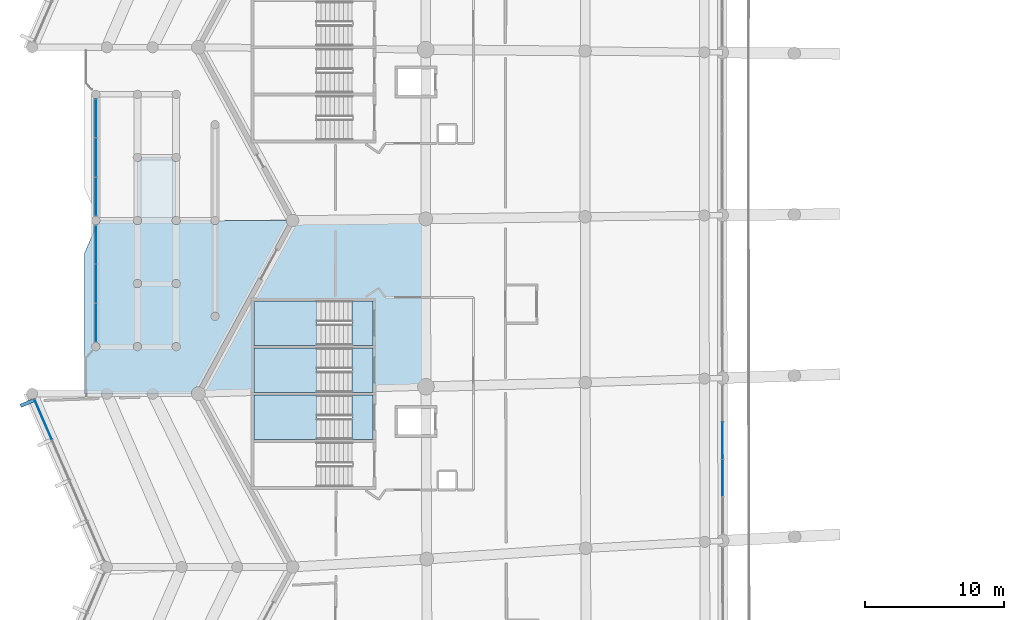
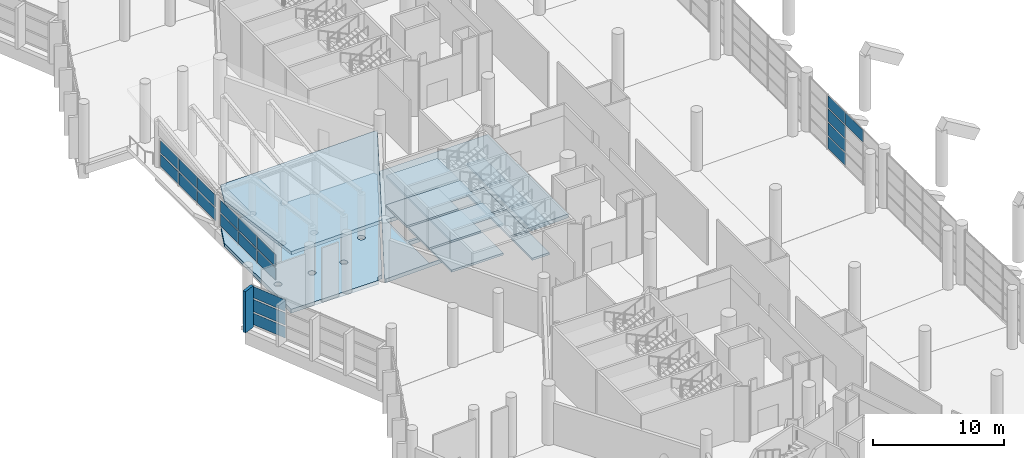
# One storey, part 123 of 271: 21 plates, 15 slabs, 7 elements without a shape of their own.
"""IFC4 building model written with IfcOpenShell, lengths in metres."""

from ifc_helpers import new_model, si_unit, direction, frame, origin, origin_2d, place, context, subcontext, project, spatial, polyline, rectangle, outline, extrude, material, layer, layer_set, type_object, element, aggregate, save


model = new_model("IFC4")

# Units and contexts
model_context = context("Model", 3, precision=1e-05, world=origin(), true_north=direction((0.0, 1.0)))
body_context = subcontext(model_context, "Body", "Model", "MODEL_VIEW")
ifc_project = project(units=[si_unit("LENGTHUNIT", "METRE"), si_unit("AREAUNIT", "SQUARE_METRE"), si_unit("VOLUMEUNIT", "CUBIC_METRE"), si_unit("PLANEANGLEUNIT", "RADIAN"), si_unit("MASSUNIT", "GRAM", prefix="KILO")], contexts=[model_context])

# Site, building, storey
site_placement = place(None, origin())
site = spatial("IfcSite", under=ifc_project, at=site_placement, CompositionType="ELEMENT")
building_placement = place(site_placement, origin())
building = spatial("IfcBuilding", under=site, at=building_placement, Name="Meseta Stadium", CompositionType="ELEMENT")
storey_placement = place(building_placement, frame((0.0, 0.0, 6.5)))
storey = spatial("IfcBuildingStorey", under=building, at=storey_placement, Name="L01", CompositionType="ELEMENT", Elevation=6.5)

# Curtain wall, plates
ifc_material_1 = material(Name="Aluminium", Category="aluminium")
ifc_layer_1 = layer(ifc_material_1, 0.199951171875)
ifc_layer_set_1 = layer_set([ifc_layer_1], Name="Club glazing curtain wall")
curtain_wall_type_1 = type_object("IfcCurtainWallType", Name="Club glazing curtain wall", PredefinedType="NOTDEFINED", material=ifc_layer_set_1)
curtain_wall_1_placement = place(storey_placement, origin())
curtain_wall_1 = element("IfcCurtainWall", 1, at=curtain_wall_1_placement, inside=storey, type_object=curtain_wall_type_1, Name="Club glazing bay 34", PredefinedType="NOTDEFINED")
ifc_material_2 = material(Name="Glass", Category="glass")
ifc_layer_2 = layer(ifc_material_2, 0.028076171875)
ifc_layer_set_2 = layer_set([ifc_layer_2], Name="CW glass panel 28")
plate_type_1 = type_object("IfcPlateType", Name="CW glass panel 28", PredefinedType="CURTAIN_PANEL", material=ifc_layer_set_2)
plate_1_placement = place(storey_placement, frame((-63.57958984375, -22.12353515625, 0.1201171875), z_axis=(0.0, 0.0, 1.0), x_axis=(0.0018452545, -0.999998297516, 0.0)))
plate_1 = element("IfcPlate", 2, at=plate_1_placement, type_object=plate_type_1, Name="CWC panel 2.1", PredefinedType="CURTAIN_PANEL", context=body_context, shape_type="SweptSolid", body=[
    extrude(rectangle(XDim=2.6435546875, YDim=0.028076171875, at=origin_2d()), origin(), (0.0, 0.0, 1.0), 1.107421875),
])
plate_2_placement = place(storey_placement, frame((-63.57958984375, -22.12353515625, 1.347412109375), z_axis=(0.0, 0.0, 1.0), x_axis=(0.0018452545, -0.999998297516, 0.0)))
plate_2 = element("IfcPlate", 3, at=plate_2_placement, type_object=plate_type_1, Name="CWC panel 2.2", PredefinedType="CURTAIN_PANEL", context=body_context, shape_type="SweptSolid", body=[
    extrude(rectangle(XDim=2.6435546875, YDim=0.028076171875, at=origin_2d()), origin(), (0.0, 0.0, 1.0), 1.16748046875),
])
plate_3_placement = place(storey_placement, frame((-63.57958984375, -22.12353515625, 2.635009765625), z_axis=(0.0, 0.0, 1.0), x_axis=(0.0018452545, -0.999998297516, 0.0)))
plate_3 = element("IfcPlate", 4, at=plate_3_placement, type_object=plate_type_1, Name="CWC panel 2.3", PredefinedType="CURTAIN_PANEL", context=body_context, shape_type="SweptSolid", body=[
    extrude(rectangle(XDim=2.6435546875, YDim=0.028076171875, at=origin_2d()), origin(), (0.0, 0.0, 1.0), 1.16748046875),
])
plate_4_placement = place(storey_placement, frame((-63.57958984375, -22.12353515625, 3.922607421875), z_axis=(0.0, 0.0, 1.0), x_axis=(0.0018452545, -0.999998297516, 0.0)))
plate_4 = element("IfcPlate", 5, at=plate_4_placement, type_object=plate_type_1, Name="CWC panel 2.4", PredefinedType="CURTAIN_PANEL", context=body_context, shape_type="SweptSolid", body=[
    extrude(rectangle(XDim=2.6435546875, YDim=0.028076171875, at=origin_2d()), origin(), (0.0, 0.0, 1.0), 1.107421875),
])
plate_5_placement = place(storey_placement, frame((-63.574462890625, -24.8271484375, 3.922607421875), z_axis=(0.0, 0.0, 1.0), x_axis=(0.0018452545, -0.999998297516, 0.0)))
plate_5 = element("IfcPlate", 6, at=plate_5_placement, type_object=plate_type_1, Name="CWC panel 3.4", PredefinedType="CURTAIN_PANEL", context=body_context, shape_type="SweptSolid", body=[
    extrude(rectangle(XDim=2.6435546875, YDim=0.028076171875, at=origin_2d()), origin(), (0.0, 0.0, 1.0), 1.107421875),
])
aggregate(curtain_wall_1, [plate_1, plate_2, plate_3, plate_4, plate_5])

# Slabs
ifc_material_3 = material(Name="Concrete C40/50", Category="concrete")
ifc_layer_3 = layer(ifc_material_3, 0.35009765625)
ifc_layer_set_3 = layer_set([ifc_layer_3], Name="Floor slab 350")
slab_type_1 = type_object("IfcSlabType", Name="Floor slab 350", PredefinedType="FLOOR", material=ifc_layer_set_3)
slab_1_placement = place(storey_placement, frame((0.0, 0.0, -0.35009765625)))
element("IfcSlab", 7, at=slab_1_placement, inside=storey, type_object=slab_type_1, Name="Floor slab L01 sector 28 panel 05", PredefinedType="FLOOR", context=body_context, shape_type="SweptSolid", body=[
    extrude(outline(polyline([(-84.9970703125, -6.107421875), (-94.6201171875, -6.212890625), (-94.60009765625, -6.25), (-101.39990234375, -18.75), (-101.340087890625, -18.85986328125), (-94.9599609375, -18.64990234375), (-97.39990234375, -18.64990234375), (-97.39990234375, -15.449951171875), (-88.800048828125, -15.449951171875), (-88.800048828125, -18.447509765625), (-84.978515625, -18.32177734375), (-84.9970703125, -6.107421875)]), holes=[polyline([(-88.800048828125, -12.050048828125), (-88.800048828125, -15.25), (-97.39990234375, -15.25), (-97.39990234375, -12.050048828125), (-88.800048828125, -12.050048828125)])]), origin(), (0.0, 0.0, 1.0), 0.35009765625),
])
slab_2_placement = place(storey_placement, frame((0.0, 0.0, -0.35009765625)))
element("IfcSlab", 8, at=slab_2_placement, inside=storey, type_object=slab_type_1, Name="Gate hall floor slab 5 panel 01", PredefinedType="FLOOR", context=body_context, shape_type="SweptSolid", body=[
    extrude(outline(polyline([(-105.497314453125, -6.25), (-105.5078125, -6.328369140625), (-105.5380859375, -6.4013671875), (-105.5859375, -6.464111328125), (-105.648681640625, -6.511962890625), (-105.7216796875, -6.542236328125), (-105.800048828125, -6.552490234375), (-105.87841796875, -6.542236328125), (-105.951416015625, -6.511962890625), (-106.013916015625, -6.464111328125), (-106.06201171875, -6.4013671875), (-106.09228515625, -6.328369140625), (-106.1025390625, -6.25), (-108.497314453125, -6.25), (-108.5078125, -6.328369140625), (-108.5380859375, -6.4013671875), (-108.5859375, -6.464111328125), (-108.648681640625, -6.511962890625), (-108.7216796875, -6.542236328125), (-108.7265625, -6.54296875), (-109.60009765625, -8.564697265625), (-109.60009765625, -18.75), (-101.904296875, -18.75), (-101.88720703125, -18.619384765625), (-101.836669921875, -18.497802734375), (-101.756591796875, -18.393310546875), (-101.652099609375, -18.313232421875), (-101.530517578125, -18.262939453125), (-101.39990234375, -18.24560546875), (-101.335205078125, -18.254150390625), (-94.955078125, -6.5263671875), (-94.9931640625, -6.476806640625), (-95.038330078125, -6.367431640625), (-95.053955078125, -6.25), (-95.049560546875, -6.217529296875), (-99.900146484375, -6.270751953125), (-99.90771484375, -6.328369140625), (-99.93798828125, -6.4013671875), (-99.986083984375, -6.464111328125), (-100.048583984375, -6.511962890625), (-100.12158203125, -6.542236328125), (-100.199951171875, -6.552490234375), (-100.2783203125, -6.542236328125), (-100.351318359375, -6.511962890625), (-100.4140625, -6.464111328125), (-100.4619140625, -6.4013671875), (-100.4921875, -6.328369140625), (-100.502685546875, -6.25), (-102.697509765625, -6.25), (-102.707763671875, -6.328369140625), (-102.738037109375, -6.4013671875), (-102.785888671875, -6.464111328125), (-102.8486328125, -6.511962890625), (-102.921630859375, -6.542236328125), (-103.0, -6.552490234375), (-103.078369140625, -6.542236328125), (-103.1513671875, -6.511962890625), (-103.214111328125, -6.464111328125), (-103.261962890625, -6.4013671875), (-103.292236328125, -6.328369140625), (-103.302490234375, -6.25), (-103.292236328125, -6.171630859375), (-103.261962890625, -6.0986328125), (-103.214111328125, -6.035888671875), (-103.1513671875, -5.988037109375), (-103.078369140625, -5.957763671875), (-103.0, -5.947509765625), (-103.0, -2.002685546875), (-103.078369140625, -1.9921875), (-103.1513671875, -1.9619140625), (-103.214111328125, -1.9140625), (-103.261962890625, -1.851318359375), (-103.292236328125, -1.7783203125), (-103.302490234375, -1.699951171875), (-105.497314453125, -1.699951171875), (-105.5078125, -1.7783203125), (-105.5380859375, -1.851318359375), (-105.5859375, -1.9140625), (-105.648681640625, -1.9619140625), (-105.7216796875, -1.9921875), (-105.800048828125, -2.002685546875), (-105.800048828125, -5.947509765625), (-105.7216796875, -5.957763671875), (-105.648681640625, -5.988037109375), (-105.5859375, -6.035888671875), (-105.5380859375, -6.0986328125), (-105.5078125, -6.171630859375), (-105.497314453125, -6.25)]), holes=[polyline([(-103.261962890625, -10.648681640625), (-103.214111328125, -10.5859375), (-103.1513671875, -10.5380859375), (-103.078369140625, -10.5078125), (-103.0, -10.497314453125), (-102.921630859375, -10.5078125), (-102.8486328125, -10.5380859375), (-102.785888671875, -10.5859375), (-102.738037109375, -10.648681640625), (-102.707763671875, -10.7216796875), (-102.697509765625, -10.800048828125), (-102.707763671875, -10.87841796875), (-102.738037109375, -10.951416015625), (-102.785888671875, -11.013916015625), (-102.8486328125, -11.06201171875), (-102.921630859375, -11.09228515625), (-103.0, -11.1025390625), (-103.078369140625, -11.09228515625), (-103.1513671875, -11.06201171875), (-103.214111328125, -11.013916015625), (-103.261962890625, -10.951416015625), (-103.292236328125, -10.87841796875), (-103.302490234375, -10.800048828125), (-103.292236328125, -10.7216796875), (-103.261962890625, -10.648681640625)]), polyline([(-103.261962890625, -15.19873046875), (-103.214111328125, -15.135986328125), (-103.1513671875, -15.087890625), (-103.078369140625, -15.0576171875), (-103.0, -15.04736328125), (-102.921630859375, -15.0576171875), (-102.8486328125, -15.087890625), (-102.785888671875, -15.135986328125), (-102.738037109375, -15.19873046875), (-102.707763671875, -15.271728515625), (-102.697509765625, -15.35009765625), (-102.707763671875, -15.42822265625), (-102.738037109375, -15.501220703125), (-102.785888671875, -15.56396484375), (-102.8486328125, -15.612060546875), (-102.921630859375, -15.642333984375), (-103.0, -15.652587890625), (-103.078369140625, -15.642333984375), (-103.1513671875, -15.612060546875), (-103.214111328125, -15.56396484375), (-103.261962890625, -15.501220703125), (-103.292236328125, -15.42822265625), (-103.302490234375, -15.35009765625), (-103.292236328125, -15.271728515625), (-103.261962890625, -15.19873046875)]), polyline([(-105.648681640625, -15.087890625), (-105.5859375, -15.135986328125), (-105.5380859375, -15.19873046875), (-105.5078125, -15.271728515625), (-105.497314453125, -15.35009765625), (-105.5078125, -15.42822265625), (-105.5380859375, -15.501220703125), (-105.5859375, -15.56396484375), (-105.648681640625, -15.612060546875), (-105.7216796875, -15.642333984375), (-105.800048828125, -15.652587890625), (-105.87841796875, -15.642333984375), (-105.951416015625, -15.612060546875), (-106.013916015625, -15.56396484375), (-106.06201171875, -15.501220703125), (-106.09228515625, -15.42822265625), (-106.1025390625, -15.35009765625), (-106.09228515625, -15.271728515625), (-106.06201171875, -15.19873046875), (-106.013916015625, -15.135986328125), (-105.951416015625, -15.087890625), (-105.87841796875, -15.0576171875), (-105.800048828125, -15.04736328125), (-105.7216796875, -15.0576171875), (-105.648681640625, -15.087890625)]), polyline([(-108.648681640625, -15.087890625), (-108.5859375, -15.135986328125), (-108.5380859375, -15.19873046875), (-108.5078125, -15.271728515625), (-108.497314453125, -15.35009765625), (-108.5078125, -15.42822265625), (-108.5380859375, -15.501220703125), (-108.5859375, -15.56396484375), (-108.648681640625, -15.612060546875), (-108.7216796875, -15.642333984375), (-108.800048828125, -15.652587890625), (-108.87841796875, -15.642333984375), (-108.951416015625, -15.612060546875), (-109.013916015625, -15.56396484375), (-109.06201171875, -15.501220703125), (-109.09228515625, -15.42822265625), (-109.1025390625, -15.35009765625), (-109.09228515625, -15.271728515625), (-109.06201171875, -15.19873046875), (-109.013916015625, -15.135986328125), (-108.951416015625, -15.087890625), (-108.87841796875, -15.0576171875), (-108.800048828125, -15.04736328125), (-108.7216796875, -15.0576171875), (-108.648681640625, -15.087890625)]), polyline([(-105.951416015625, -10.5380859375), (-105.87841796875, -10.5078125), (-105.800048828125, -10.497314453125), (-105.7216796875, -10.5078125), (-105.648681640625, -10.5380859375), (-105.5859375, -10.5859375), (-105.5380859375, -10.648681640625), (-105.5078125, -10.7216796875), (-105.497314453125, -10.800048828125), (-105.5078125, -10.87841796875), (-105.5380859375, -10.951416015625), (-105.5859375, -11.013916015625), (-105.648681640625, -11.06201171875), (-105.7216796875, -11.09228515625), (-105.800048828125, -11.1025390625), (-105.87841796875, -11.09228515625), (-105.951416015625, -11.06201171875), (-106.013916015625, -11.013916015625), (-106.06201171875, -10.951416015625), (-106.09228515625, -10.87841796875), (-106.1025390625, -10.800048828125), (-106.09228515625, -10.7216796875), (-106.06201171875, -10.648681640625), (-106.013916015625, -10.5859375), (-105.951416015625, -10.5380859375)]), polyline([(-100.502685546875, -13.16748046875), (-100.4921875, -13.089111328125), (-100.4619140625, -13.01611328125), (-100.4140625, -12.95361328125), (-100.351318359375, -12.905517578125), (-100.2783203125, -12.875244140625), (-100.199951171875, -12.864990234375), (-100.12158203125, -12.875244140625), (-100.048583984375, -12.905517578125), (-99.986083984375, -12.95361328125), (-99.93798828125, -13.01611328125), (-99.90771484375, -13.089111328125), (-99.8974609375, -13.16748046875), (-99.90771484375, -13.245849609375), (-99.93798828125, -13.318603515625), (-99.986083984375, -13.38134765625), (-100.048583984375, -13.429443359375), (-100.12158203125, -13.459716796875), (-100.199951171875, -13.469970703125), (-100.2783203125, -13.459716796875), (-100.351318359375, -13.429443359375), (-100.4140625, -13.38134765625), (-100.4619140625, -13.318603515625), (-100.4921875, -13.245849609375), (-100.502685546875, -13.16748046875)])]), origin(), (0.0, 0.0, 1.0), 0.35009765625),
])
ifc_material_4 = material(Name="Concrete C40/50", Category="concrete")
ifc_layer_4 = layer(ifc_material_4, 0.300048828125)
ifc_layer_set_4 = layer_set([ifc_layer_4], Name="Gate roof plate 300")
slab_type_2 = type_object("IfcSlabType", Name="Gate roof plate 300", PredefinedType="ROOF", material=ifc_layer_set_4)
slab_3_placement = place(storey_placement, frame((-109.60009765625, -18.75, 5.367919921875), z_axis=(-0.019795953742, 0.138619742273, 0.990147810818), x_axis=(0.999800198128, -1.138102e-06, 0.019989092559)))
element("IfcSlab", 9, at=slab_3_placement, inside=storey, type_object=slab_type_2, Name="Gate 5 butterfly roof wing", PredefinedType="ROOF", context=body_context, shape_type="SweptSolid", body=[
    extrude(outline(polyline([(0.0, 0.0), (7.996716246077016, 3.469446951953614e-18), (14.763129516762087, 12.6218602292899), (0.9652052321354223, 12.621854510407971), (-0.028511665290801468, 10.284572476588597), (0.0, 0.0)])), origin(), (0.0, 0.0, -1.0), 0.300048828125),
])

# Curtain wall, plates
ifc_material_5 = material(Name="Aluminium", Category="aluminium")
ifc_layer_5 = layer(ifc_material_5, 0.199951171875)
ifc_layer_set_5 = layer_set([ifc_layer_5], Name="Ring shopfront curtain wall")
curtain_wall_type_2 = type_object("IfcCurtainWallType", Name="Ring shopfront curtain wall", PredefinedType="NOTDEFINED", material=ifc_layer_set_5)
curtain_wall_2_placement = place(storey_placement, origin())
curtain_wall_2 = element("IfcCurtainWall", 10, at=curtain_wall_2_placement, inside=storey, type_object=curtain_wall_type_2, Name="Ring glazing L01 F34", PredefinedType="NOTDEFINED")
ifc_material_6 = material(Name="Glass", Category="glass")
ifc_layer_6 = layer(ifc_material_6, 0.035888671875)
ifc_layer_set_6 = layer_set([ifc_layer_6], Name="Ring CW glass panel 36")
plate_type_2 = type_object("IfcPlateType", Name="Ring CW glass panel 36", PredefinedType="CURTAIN_PANEL", material=ifc_layer_set_6)
plate_6_placement = place(storey_placement, frame((-112.60009765625, -20.6015625, 0.14990234375), z_axis=(0.0, 0.0, 1.0), x_axis=(0.396580687073, -0.91799986854, 0.0)))
plate_6 = element("IfcPlate", 11, at=plate_6_placement, type_object=plate_type_2, Name="CWR1 panel 1.1", PredefinedType="CURTAIN_PANEL", context=body_context, shape_type="SweptSolid", body=[
    extrude(rectangle(XDim=3.1142578125, YDim=0.035888671875, at=origin_2d()), origin(), (0.0, 0.0, 1.0), 1.058349609375),
])
plate_7_placement = place(storey_placement, frame((-112.60009765625, -20.6015625, 1.3583984375), z_axis=(0.0, 0.0, 1.0), x_axis=(0.396580687073, -0.91799986854, 0.0)))
plate_7 = element("IfcPlate", 12, at=plate_7_placement, type_object=plate_type_2, Name="CWR1 panel 1.2", PredefinedType="CURTAIN_PANEL", context=body_context, shape_type="SweptSolid", body=[
    extrude(rectangle(XDim=3.1142578125, YDim=0.035888671875, at=origin_2d()), origin(), (0.0, 0.0, 1.0), 1.13330078125),
])
plate_8_placement = place(storey_placement, frame((-112.60009765625, -20.6015625, 2.6416015625), z_axis=(0.0, 0.0, 1.0), x_axis=(0.396580687073, -0.91799986854, 0.0)))
plate_8 = element("IfcPlate", 13, at=plate_8_placement, type_object=plate_type_2, Name="CWR1 panel 1.3", PredefinedType="CURTAIN_PANEL", context=body_context, shape_type="SweptSolid", body=[
    extrude(rectangle(XDim=3.1142578125, YDim=0.035888671875, at=origin_2d()), origin(), (0.0, 0.0, 1.0), 1.058349609375),
])
aggregate(curtain_wall_2, [plate_6, plate_7, plate_8])

ifc_material_7 = material(Name="Aluminium", Category="aluminium")
ifc_layer_7 = layer(ifc_material_7, 0.199951171875)
ifc_layer_set_7 = layer_set([ifc_layer_7], Name="Gate hall curtain wall")
curtain_wall_type_3 = type_object("IfcCurtainWallType", Name="Gate hall curtain wall", PredefinedType="NOTDEFINED", material=ifc_layer_set_7)
curtain_wall_3_placement = place(storey_placement, origin())
curtain_wall_3 = element("IfcCurtainWall", 14, at=curtain_wall_3_placement, inside=storey, type_object=curtain_wall_type_3, Name="Gate 5 hall glazing", PredefinedType="NOTDEFINED")
plate_9_placement = place(storey_placement, frame((-108.800048828125, -4.518310546875, 0.14990234375), z_axis=(0.0, 0.0, 1.0), x_axis=(0.0, 1.0, 0.0)))
plate_9 = element("IfcPlate", 15, at=plate_9_placement, type_object=plate_type_2, Name="CWG1 panel 1.1", PredefinedType="CURTAIN_PANEL", context=body_context, shape_type="SweptSolid", body=[
    extrude(rectangle(XDim=2.743408203125, YDim=0.035888671875, at=origin_2d()), origin(), (0.0, 0.0, 1.0), 1.123046875),
])
plate_10_placement = place(storey_placement, frame((-108.800048828125, -4.518310546875, 1.423095703125), z_axis=(0.0, 0.0, 1.0), x_axis=(0.0, 1.0, 0.0)))
plate_10 = element("IfcPlate", 16, at=plate_10_placement, type_object=plate_type_2, Name="CWG1 panel 1.2", PredefinedType="CURTAIN_PANEL", context=body_context, shape_type="SweptSolid", body=[
    extrude(rectangle(XDim=2.743408203125, YDim=0.035888671875, at=origin_2d()), origin(), (0.0, 0.0, 1.0), 1.123046875),
])
plate_11_placement = place(storey_placement, frame((-108.800048828125, -1.699951171875, 0.14990234375), z_axis=(0.0, 0.0, 1.0), x_axis=(0.0, 1.0, 0.0)))
plate_11 = element("IfcPlate", 17, at=plate_11_placement, type_object=plate_type_2, Name="CWG1 panel 2.1", PredefinedType="CURTAIN_PANEL", context=body_context, shape_type="SweptSolid", body=[
    extrude(rectangle(XDim=2.7734375, YDim=0.035888671875, at=origin_2d()), origin(), (0.0, 0.0, 1.0), 1.123046875),
])
plate_12_placement = place(storey_placement, frame((-108.800048828125, -1.699951171875, 1.423095703125), z_axis=(0.0, 0.0, 1.0), x_axis=(0.0, 1.0, 0.0)))
plate_12 = element("IfcPlate", 18, at=plate_12_placement, type_object=plate_type_2, Name="CWG1 panel 2.2", PredefinedType="CURTAIN_PANEL", context=body_context, shape_type="SweptSolid", body=[
    extrude(rectangle(XDim=2.7734375, YDim=0.035888671875, at=origin_2d()), origin(), (0.0, 0.0, 1.0), 1.123046875),
])
plate_13_placement = place(storey_placement, frame((-108.800048828125, 1.118408203125, 0.14990234375), z_axis=(0.0, 0.0, 1.0), x_axis=(0.0, 1.0, 0.0)))
plate_13 = element("IfcPlate", 19, at=plate_13_placement, type_object=plate_type_2, Name="CWG1 panel 3.1", PredefinedType="CURTAIN_PANEL", context=body_context, shape_type="SweptSolid", body=[
    extrude(rectangle(XDim=2.743408203125, YDim=0.035888671875, at=origin_2d()), origin(), (0.0, 0.0, 1.0), 1.123046875),
])
plate_14_placement = place(storey_placement, frame((-108.800048828125, 1.118408203125, 1.423095703125), z_axis=(0.0, 0.0, 1.0), x_axis=(0.0, 1.0, 0.0)))
plate_14 = element("IfcPlate", 20, at=plate_14_placement, type_object=plate_type_2, Name="CWG1 panel 3.2", PredefinedType="CURTAIN_PANEL", context=body_context, shape_type="SweptSolid", body=[
    extrude(rectangle(XDim=2.743408203125, YDim=0.035888671875, at=origin_2d()), origin(), (0.0, 0.0, 1.0), 1.123046875),
])
aggregate(curtain_wall_3, [plate_9, plate_10, plate_11, plate_12, plate_13, plate_14])

curtain_wall_4_placement = place(storey_placement, origin())
curtain_wall_4 = element("IfcCurtainWall", 21, at=curtain_wall_4_placement, inside=storey, type_object=curtain_wall_type_3, Name="Gate 5 hall glazing", PredefinedType="NOTDEFINED")
plate_15_placement = place(storey_placement, frame((-108.800048828125, -13.618408203125, 0.14990234375), z_axis=(0.0, 0.0, 1.0), x_axis=(0.0, 1.0, 0.0)))
plate_15 = element("IfcPlate", 22, at=plate_15_placement, type_object=plate_type_2, Name="CWG1 panel 1.1", PredefinedType="CURTAIN_PANEL", context=body_context, shape_type="SweptSolid", body=[
    extrude(rectangle(XDim=2.743408203125, YDim=0.035888671875, at=origin_2d()), origin(), (0.0, 0.0, 1.0), 1.123046875),
])
plate_16_placement = place(storey_placement, frame((-108.800048828125, -13.618408203125, 1.423095703125), z_axis=(0.0, 0.0, 1.0), x_axis=(0.0, 1.0, 0.0)))
plate_16 = element("IfcPlate", 23, at=plate_16_placement, type_object=plate_type_2, Name="CWG1 panel 1.2", PredefinedType="CURTAIN_PANEL", context=body_context, shape_type="SweptSolid", body=[
    extrude(rectangle(XDim=2.743408203125, YDim=0.035888671875, at=origin_2d()), origin(), (0.0, 0.0, 1.0), 1.123046875),
])
plate_17_placement = place(storey_placement, frame((-108.800048828125, -10.800048828125, 0.14990234375), z_axis=(0.0, 0.0, 1.0), x_axis=(0.0, 1.0, 0.0)))
plate_17 = element("IfcPlate", 24, at=plate_17_placement, type_object=plate_type_2, Name="CWG1 panel 2.1", PredefinedType="CURTAIN_PANEL", context=body_context, shape_type="SweptSolid", body=[
    extrude(rectangle(XDim=2.7734375, YDim=0.035888671875, at=origin_2d()), origin(), (0.0, 0.0, 1.0), 1.123046875),
])
plate_18_placement = place(storey_placement, frame((-108.800048828125, -10.800048828125, 1.423095703125), z_axis=(0.0, 0.0, 1.0), x_axis=(0.0, 1.0, 0.0)))
plate_18 = element("IfcPlate", 25, at=plate_18_placement, type_object=plate_type_2, Name="CWG1 panel 2.2", PredefinedType="CURTAIN_PANEL", context=body_context, shape_type="SweptSolid", body=[
    extrude(rectangle(XDim=2.7734375, YDim=0.035888671875, at=origin_2d()), origin(), (0.0, 0.0, 1.0), 1.123046875),
])
plate_19_placement = place(storey_placement, frame((-108.800048828125, -7.981689453125, 0.14990234375), z_axis=(0.0, 0.0, 1.0), x_axis=(0.0, 1.0, 0.0)))
plate_19 = element("IfcPlate", 26, at=plate_19_placement, type_object=plate_type_2, Name="CWG1 panel 3.1", PredefinedType="CURTAIN_PANEL", context=body_context, shape_type="SweptSolid", body=[
    extrude(rectangle(XDim=2.743408203125, YDim=0.035888671875, at=origin_2d()), origin(), (0.0, 0.0, 1.0), 1.123046875),
])
plate_20_placement = place(storey_placement, frame((-108.800048828125, -7.981689453125, 1.423095703125), z_axis=(0.0, 0.0, 1.0), x_axis=(0.0, 1.0, 0.0)))
plate_20 = element("IfcPlate", 27, at=plate_20_placement, type_object=plate_type_2, Name="CWG1 panel 3.2", PredefinedType="CURTAIN_PANEL", context=body_context, shape_type="SweptSolid", body=[
    extrude(rectangle(XDim=2.743408203125, YDim=0.035888671875, at=origin_2d()), origin(), (0.0, 0.0, 1.0), 1.123046875),
])
aggregate(curtain_wall_4, [plate_15, plate_16, plate_17, plate_18, plate_19, plate_20])

# Plate
ifc_material_8 = material(Name="Precast concrete C40/50", Category="concrete")
ifc_layer_8 = layer(ifc_material_8, 0.25)
ifc_layer_set_8 = layer_set([ifc_layer_8], Name="Ring brise-soleil fin 250x1000")
plate_type_3 = type_object("IfcPlateType", Name="Ring brise-soleil fin 250x1000", PredefinedType="USERDEFINED", material=ifc_layer_set_8)
plate_21_placement = place(storey_placement, frame((-113.762451171875, -19.424072265625, 0.0), z_axis=(0.0, 0.0, 1.0), x_axis=(0.396575976693, -0.918001903435, 0.0)))
element("IfcPlate", 28, at=plate_21_placement, inside=storey, type_object=plate_type_3, Name="Brise-soleil fin L01 F34.1", ObjectType="FIN", PredefinedType="USERDEFINED", context=body_context, shape_type="SweptSolid", body=[
    extrude(rectangle(XDim=0.25, YDim=1.0, at=origin_2d()), origin(), (0.0, 0.0, 1.0), 3.85009765625),
])

# Stair, slabs
ifc_material_9 = material(Name="Concrete C40/50", Category="concrete")
stair_type = type_object("IfcStairType", Name="Exit stair 4 flights 153 mm risers", PredefinedType="HALF_TURN_STAIR", material=ifc_material_9)
stair_1_placement = place(storey_placement, origin())
stair_1 = element("IfcStair", 29, at=stair_1_placement, inside=storey, type_object=stair_type, Name="ST69 L01", PredefinedType="HALF_TURN_STAIR")
ifc_material_10 = material(Name="Concrete C40/50", Category="concrete")
ifc_layer_9 = layer(ifc_material_10, 0.199951171875)
ifc_layer_set_9 = layer_set([ifc_layer_9], Name="Stair landing 200")
slab_type_3 = type_object("IfcSlabType", Name="Stair landing 200", PredefinedType="LANDING", material=ifc_layer_set_9)
slab_4_placement = place(storey_placement, frame((0.0, 0.0, 1.175048828125)))
slab_4 = element("IfcSlab", 30, at=slab_4_placement, type_object=slab_type_3, Name="ST69 L01 landing 1", PredefinedType="LANDING", context=body_context, shape_type="SweptSolid", body=[
    extrude(outline(polyline([(-92.85009765625, -12.050048828125), (-97.39990234375, -12.050048828125), (-97.39990234375, -15.25), (-92.85009765625, -15.25), (-92.85009765625, -12.050048828125)])), origin(), (0.0, 0.0, 1.0), 0.199951171875),
])
slab_5_placement = place(storey_placement, frame((0.0, 0.0, 2.550048828125)))
slab_5 = element("IfcSlab", 31, at=slab_5_placement, type_object=slab_type_3, Name="ST69 L01 landing 2", PredefinedType="LANDING", context=body_context, shape_type="SweptSolid", body=[
    extrude(outline(polyline([(-88.800048828125, -12.050048828125), (-90.31005859375, -12.050048828125), (-90.31005859375, -15.25), (-88.800048828125, -15.25), (-88.800048828125, -12.050048828125)])), origin(), (0.0, 0.0, 1.0), 0.199951171875),
])
slab_6_placement = place(storey_placement, frame((0.0, 0.0, 3.925048828125)))
slab_6 = element("IfcSlab", 32, at=slab_6_placement, type_object=slab_type_3, Name="ST69 L01 landing 3", PredefinedType="LANDING", context=body_context, shape_type="SweptSolid", body=[
    extrude(outline(polyline([(-92.85009765625, -12.050048828125), (-97.39990234375, -12.050048828125), (-97.39990234375, -15.25), (-92.85009765625, -15.25), (-92.85009765625, -12.050048828125)])), origin(), (0.0, 0.0, 1.0), 0.199951171875),
])
slab_7_placement = place(storey_placement, frame((0.0, 0.0, -0.199951171875)))
slab_7 = element("IfcSlab", 33, at=slab_7_placement, type_object=slab_type_3, Name="ST69 L01 landing 4", PredefinedType="LANDING", context=body_context, shape_type="SweptSolid", body=[
    extrude(outline(polyline([(-88.800048828125, -12.050048828125), (-90.31005859375, -12.050048828125), (-90.31005859375, -15.25), (-88.800048828125, -15.25), (-88.800048828125, -12.050048828125)])), origin(), (0.0, 0.0, 1.0), 0.199951171875),
])
aggregate(stair_1, [slab_4, slab_5, slab_6, slab_7])

stair_2_placement = place(storey_placement, origin())
stair_2 = element("IfcStair", 34, at=stair_2_placement, inside=storey, type_object=stair_type, Name="ST70 L01", PredefinedType="HALF_TURN_STAIR")
slab_8_placement = place(storey_placement, frame((0.0, 0.0, 1.175048828125)))
slab_8 = element("IfcSlab", 35, at=slab_8_placement, type_object=slab_type_3, Name="ST70 L01 landing 1", PredefinedType="LANDING", context=body_context, shape_type="SweptSolid", body=[
    extrude(outline(polyline([(-92.85009765625, -15.449951171875), (-97.39990234375, -15.449951171875), (-97.39990234375, -18.64990234375), (-92.85009765625, -18.64990234375), (-92.85009765625, -15.449951171875)])), origin(), (0.0, 0.0, 1.0), 0.199951171875),
])
slab_9_placement = place(storey_placement, frame((0.0, 0.0, 2.550048828125)))
slab_9 = element("IfcSlab", 36, at=slab_9_placement, type_object=slab_type_3, Name="ST70 L01 landing 2", PredefinedType="LANDING", context=body_context, shape_type="SweptSolid", body=[
    extrude(outline(polyline([(-88.800048828125, -15.449951171875), (-90.31005859375, -15.449951171875), (-90.31005859375, -18.64990234375), (-88.800048828125, -18.64990234375), (-88.800048828125, -15.449951171875)])), origin(), (0.0, 0.0, 1.0), 0.199951171875),
])
slab_10_placement = place(storey_placement, frame((0.0, 0.0, 3.925048828125)))
slab_10 = element("IfcSlab", 37, at=slab_10_placement, type_object=slab_type_3, Name="ST70 L01 landing 3", PredefinedType="LANDING", context=body_context, shape_type="SweptSolid", body=[
    extrude(outline(polyline([(-92.85009765625, -15.449951171875), (-97.39990234375, -15.449951171875), (-97.39990234375, -18.64990234375), (-92.85009765625, -18.64990234375), (-92.85009765625, -15.449951171875)])), origin(), (0.0, 0.0, 1.0), 0.199951171875),
])
slab_11_placement = place(storey_placement, frame((0.0, 0.0, -0.199951171875)))
slab_11 = element("IfcSlab", 38, at=slab_11_placement, type_object=slab_type_3, Name="ST70 L01 landing 4", PredefinedType="LANDING", context=body_context, shape_type="SweptSolid", body=[
    extrude(outline(polyline([(-88.800048828125, -15.449951171875), (-90.31005859375, -15.449951171875), (-90.31005859375, -18.64990234375), (-88.800048828125, -18.64990234375), (-88.800048828125, -15.449951171875)])), origin(), (0.0, 0.0, 1.0), 0.199951171875),
])
aggregate(stair_2, [slab_8, slab_9, slab_10, slab_11])

stair_3_placement = place(storey_placement, origin())
stair_3 = element("IfcStair", 39, at=stair_3_placement, inside=storey, type_object=stair_type, Name="ST71 L01", PredefinedType="HALF_TURN_STAIR")
slab_12_placement = place(storey_placement, frame((0.0, 0.0, 1.175048828125)))
slab_12 = element("IfcSlab", 40, at=slab_12_placement, type_object=slab_type_3, Name="ST71 L01 landing 1", PredefinedType="LANDING", context=body_context, shape_type="SweptSolid", body=[
    extrude(outline(polyline([(-92.85009765625, -18.85009765625), (-97.39990234375, -18.85009765625), (-97.39990234375, -22.050048828125), (-92.85009765625, -22.050048828125), (-92.85009765625, -18.85009765625)])), origin(), (0.0, 0.0, 1.0), 0.199951171875),
])
slab_13_placement = place(storey_placement, frame((0.0, 0.0, 2.550048828125)))
slab_13 = element("IfcSlab", 41, at=slab_13_placement, type_object=slab_type_3, Name="ST71 L01 landing 2", PredefinedType="LANDING", context=body_context, shape_type="SweptSolid", body=[
    extrude(outline(polyline([(-88.800048828125, -18.85009765625), (-90.31005859375, -18.85009765625), (-90.31005859375, -22.050048828125), (-88.800048828125, -22.050048828125), (-88.800048828125, -18.85009765625)])), origin(), (0.0, 0.0, 1.0), 0.199951171875),
])
slab_14_placement = place(storey_placement, frame((0.0, 0.0, 3.925048828125)))
slab_14 = element("IfcSlab", 42, at=slab_14_placement, type_object=slab_type_3, Name="ST71 L01 landing 3", PredefinedType="LANDING", context=body_context, shape_type="SweptSolid", body=[
    extrude(outline(polyline([(-92.85009765625, -18.85009765625), (-97.39990234375, -18.85009765625), (-97.39990234375, -22.050048828125), (-92.85009765625, -22.050048828125), (-92.85009765625, -18.85009765625)])), origin(), (0.0, 0.0, 1.0), 0.199951171875),
])
slab_15_placement = place(storey_placement, frame((0.0, 0.0, -0.199951171875)))
slab_15 = element("IfcSlab", 43, at=slab_15_placement, type_object=slab_type_3, Name="ST71 L01 landing 4", PredefinedType="LANDING", context=body_context, shape_type="SweptSolid", body=[
    extrude(outline(polyline([(-88.800048828125, -18.85009765625), (-90.31005859375, -18.85009765625), (-90.31005859375, -22.050048828125), (-88.800048828125, -22.050048828125), (-88.800048828125, -18.85009765625)])), origin(), (0.0, 0.0, 1.0), 0.199951171875),
])
aggregate(stair_3, [slab_12, slab_13, slab_14, slab_15])

save(model, "model.ifc")
